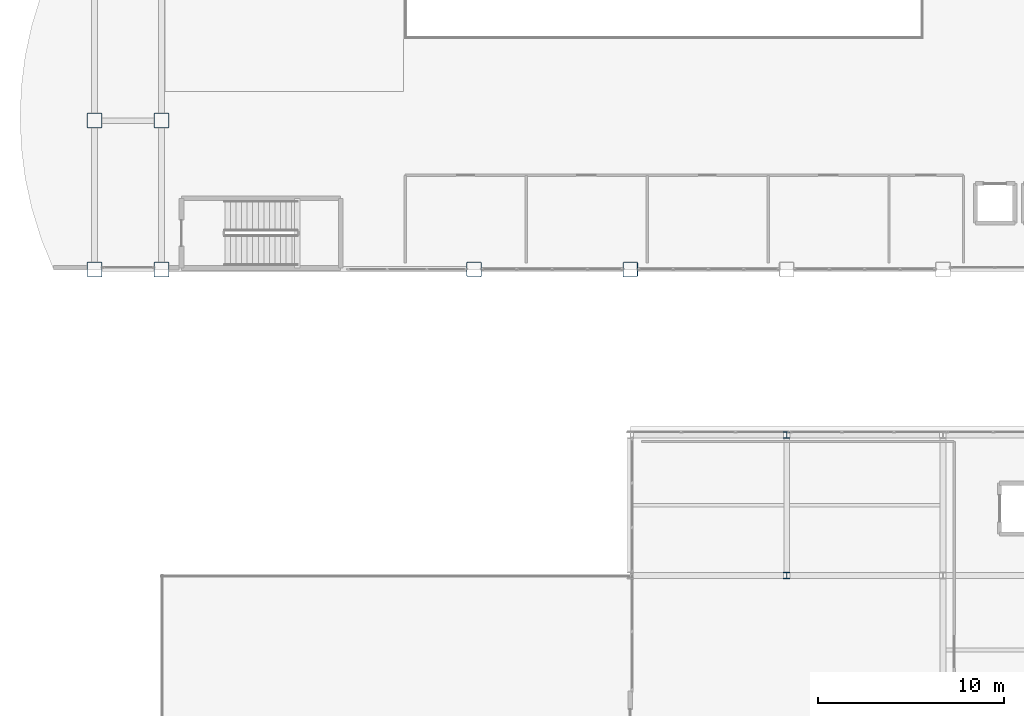
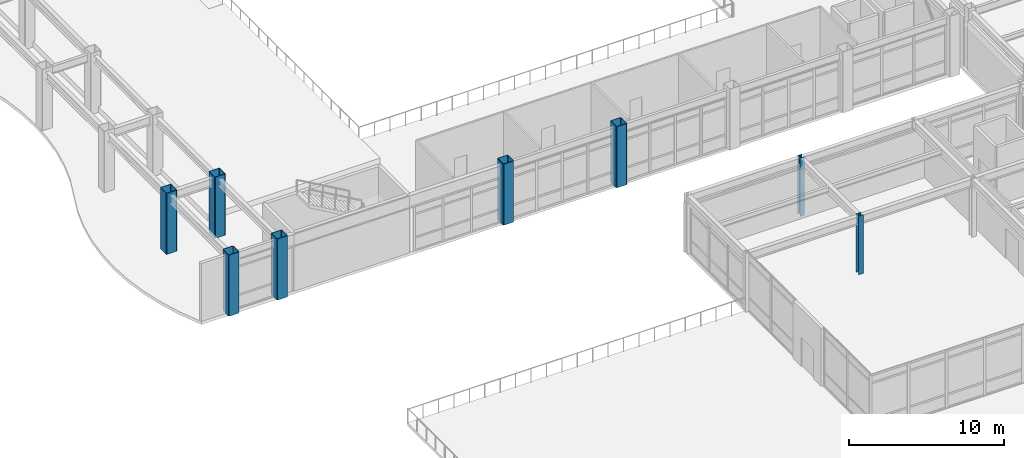
# One storey, part 2 of 154: 8 columns.
"""IFC4 building model written with IfcOpenShell, lengths in metres."""

from ifc_helpers import new_model, si_unit, direction, frame, origin, origin_2d, place, context, subcontext, project, spatial, hollow_rectangle, i_section, extrude, material, material_profile, profile_set, type_object, element, save


model = new_model("IFC4")

# Units and contexts
model_context = context("Model", 3, precision=1e-05, world=origin(), true_north=direction((0.0, 1.0)))
body_context = subcontext(model_context, "Body", "Model", "MODEL_VIEW")
ifc_project = project(units=[si_unit("LENGTHUNIT", "METRE"), si_unit("AREAUNIT", "SQUARE_METRE"), si_unit("VOLUMEUNIT", "CUBIC_METRE"), si_unit("PLANEANGLEUNIT", "RADIAN"), si_unit("MASSUNIT", "GRAM", prefix="KILO")], contexts=[model_context])

# Site, building, storey
site_placement = place(None, origin())
site = spatial("IfcSite", under=ifc_project, at=site_placement, CompositionType="ELEMENT")
building_placement = place(site_placement, origin())
building = spatial("IfcBuilding", under=site, at=building_placement, Name="Kazehara Bluff Congress Hotel", CompositionType="ELEMENT")
storey_placement = place(building_placement, frame((0.0, 0.0, 10.199951171875)))
storey = spatial("IfcBuildingStorey", under=building, at=storey_placement, Name="L02", CompositionType="ELEMENT", Elevation=10.199951171875)

# Columns
ifc_material_1 = material(Name="Steel BCR295", Category="steel")
ifc_material_profile_1 = material_profile(ifc_material_1, hollow_rectangle(XDim=0.800048828125, YDim=0.800048828125, WallThickness=0.031982421875, InnerFilletRadius=0.031982421875, OuterFilletRadius=0.06396484375, at=origin_2d()))
ifc_profile_set_1 = profile_set([ifc_material_profile_1], Name="Steel BCR295")
column_type_1 = type_object("IfcColumnType", Name="TP-C-02", PredefinedType="COLUMN", material=ifc_profile_set_1)
for number, where, z_axis, x_axis, name in (
    (1, (4.800048828125, 48.449951171875, 0.0), (0.0, 0.0, 1.0), (1.0, 0.0, 0.0), "L02 column C-02 (4.80,48.45)"),
    (2, (4.800048828125, 56.449951171875, 0.0), (0.0, 0.0, 1.0), (1.0, 0.0, 0.0), "L02 column C-02 (4.80,56.45)"),
    (3, (8.39990234375, 48.449951171875, 0.0), (0.0, 0.0, 1.0), (1.0, 0.0, 0.0), "L02 column C-02 (8.40,48.45)"),
    (4, (8.39990234375, 56.449951171875, 0.0), (0.0, 0.0, 1.0), (1.0, 0.0, 0.0), "L02 column C-02 (8.40,56.45)"),
    (5, (25.199951171875, 48.449951171875, 0.0), (0.0, 0.0, 1.0), (1.0, 0.0, 0.0), "L02 column C-02 (25.20,48.45)"),
    (6, (33.60009765625, 48.449951171875, 0.0), (0.0, 0.0, 1.0), (1.0, 0.0, 0.0), "L02 column C-02 (33.60,48.45)"),
):
    element("IfcColumn", number, at=place(storey_placement, frame(where, z_axis=z_axis, x_axis=x_axis)), inside=storey, type_object=column_type_1, Name=name, PredefinedType="COLUMN", context=body_context, shape_type="SweptSolid", body=[
        extrude(hollow_rectangle(XDim=0.800048828125, YDim=0.800048828125, WallThickness=0.031982421875, InnerFilletRadius=0.031982421875, OuterFilletRadius=0.06396484375, at=origin_2d()), origin(), (0.0, 0.0, 1.0), 4.800048828125),
    ])
ifc_material_2 = material(Name="Steel SN490B", Category="steel")
ifc_material_profile_2 = material_profile(ifc_material_2, i_section(OverallWidth=0.35009765625, OverallDepth=0.35009765625, WebThickness=0.011962890625, FlangeThickness=0.01904296875, FilletRadius=0.012939453125, at=origin_2d()))
ifc_profile_set_2 = profile_set([ifc_material_profile_2], Name="Steel SN490B")
column_type_2 = type_object("IfcColumnType", Name="TP-C-10", PredefinedType="COLUMN", material=ifc_profile_set_2)
for number, where, z_axis, x_axis, name in (
    (7, (42.0, 32.0, 0.0), (0.0, 0.0, 1.0), (1.0, 0.0, 0.0), "L02 column C-10 (42.00,32.00)"),
    (8, (42.0, 39.550048828125, 0.0), (0.0, 0.0, 1.0), (1.0, 0.0, 0.0), "L02 column C-10 (42.00,39.55)"),
):
    element("IfcColumn", number, at=place(storey_placement, frame(where, z_axis=z_axis, x_axis=x_axis)), inside=storey, type_object=column_type_2, Name=name, PredefinedType="COLUMN", context=body_context, shape_type="SweptSolid", body=[
        extrude(i_section(OverallWidth=0.35009765625, OverallDepth=0.35009765625, WebThickness=0.011962890625, FlangeThickness=0.01904296875, FilletRadius=0.012939453125, at=origin_2d()), origin(), (0.0, 0.0, 1.0), 4.590087890625),
    ])

save(model, "model.ifc")
